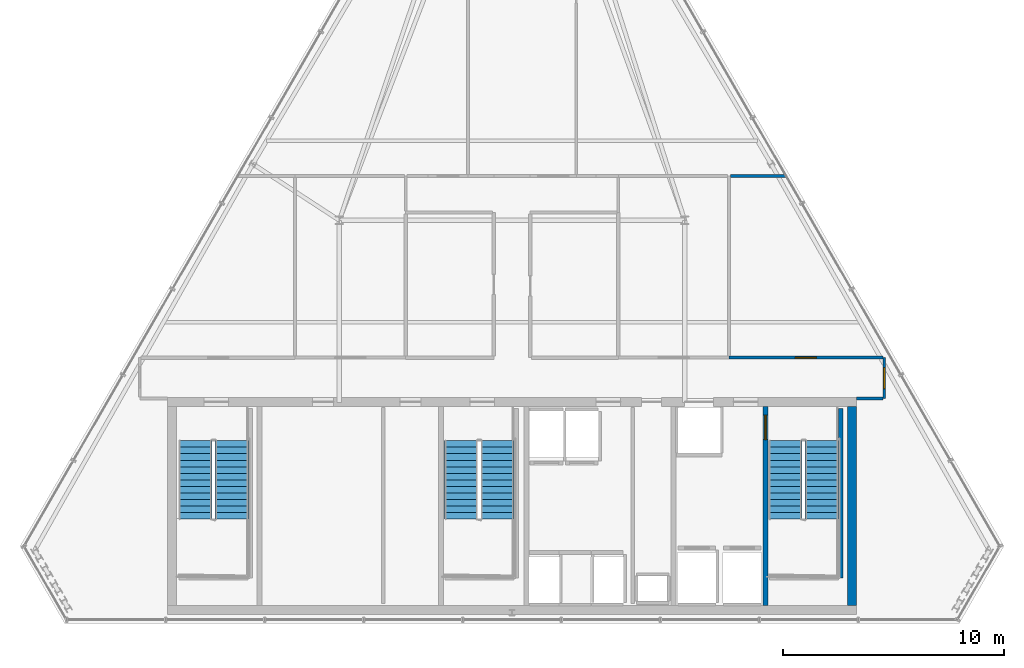
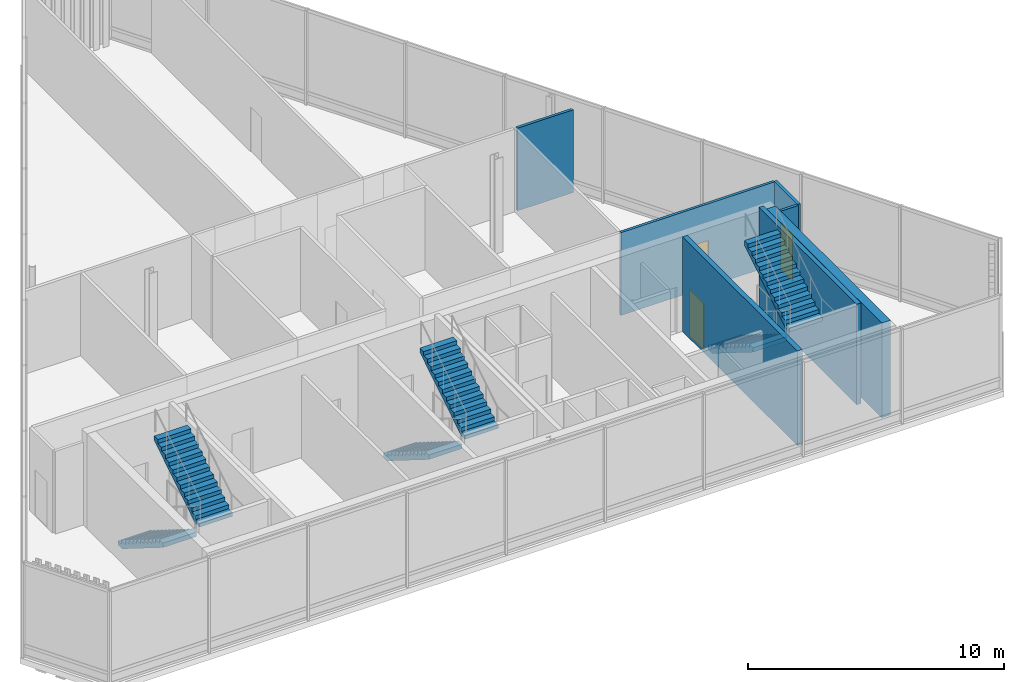
# One storey, part 22 of 25: 7 walls, 6 stair flights, 3 doors, 3 openings, 3 elements without a shape of their own.
"""IFC4 building model written with IfcOpenShell, lengths in metres."""

from ifc_helpers import new_model, si_unit, direction, frame, frame_2d, origin, place, context, subcontext, project, spatial, polyline, rectangle, outline, extrude, material, layer, layer_set, type_object, element, fill, aggregate, save


model = new_model("IFC4")

# Units and contexts
model_context = context("Model", 3, precision=1e-05, world=origin(), true_north=direction((0.0, 1.0)))
body_context = subcontext(model_context, "Body", "Model", "MODEL_VIEW")
ifc_project = project(units=[si_unit("LENGTHUNIT", "METRE"), si_unit("AREAUNIT", "SQUARE_METRE"), si_unit("VOLUMEUNIT", "CUBIC_METRE"), si_unit("PLANEANGLEUNIT", "RADIAN"), si_unit("MASSUNIT", "GRAM", prefix="KILO")], contexts=[model_context])

# Site, building, storey
site_placement = place(None, origin())
site = spatial("IfcSite", under=ifc_project, at=site_placement, CompositionType="ELEMENT")
building_placement = place(site_placement, origin())
building = spatial("IfcBuilding", under=site, at=building_placement, Name="Ndaravel Arena Tower", CompositionType="ELEMENT")
storey_placement = place(building_placement, frame((0.0, 0.0, 298.5)))
storey = spatial("IfcBuildingStorey", under=building, at=storey_placement, Name="L73", CompositionType="ELEMENT", Elevation=298.5)

# Wall, opening, door
ifc_material_1 = material(Name="Concrete C50/60", Category="concrete")
ifc_layer_1 = layer(ifc_material_1, 0.219970703125)
ifc_layer_set_1 = layer_set([ifc_layer_1], Name="Concrete C50/60")
wall_type_1 = type_object("IfcWallType", Name="WALL-CORE-220", PredefinedType="SOLIDWALL", material=ifc_layer_set_1)
wall_1_placement = place(storey_placement, frame((53.449951171875, 5.800048828125, 0.0), z_axis=(0.0, 0.0, 1.0), x_axis=(0.0, 1.0, 0.0)))
wall_1 = element("IfcWall", 1, at=wall_1_placement, inside=storey, type_object=wall_type_1, Name="L73 Core Web Shear Wall 5", PredefinedType="SOLIDWALL", context=body_context, shape_type="SweptSolid", body=[
    extrude(rectangle(XDim=9.0, YDim=0.219970703125, at=frame_2d((4.5, 0.0))), origin(), (0.0, 0.0, 1.0), 4.52001953125),
])
opening_1_placement = place(wall_1_placement, frame((7.5, 0.0, 0.0)))
opening_1 = element("IfcOpeningElement", 2, at=opening_1_placement, cuts=wall_1, Name="Opening FD-01", PredefinedType="OPENING", context=body_context, shape_type="SweptSolid", body=[
    extrude(rectangle(XDim=1.10009765625, YDim=2.199951171875, at=frame_2d((0.550048828125, 1.10009765625))), frame((0.0, 0.10986328125, 0.0), z_axis=(0.0, -1.0, 0.0), x_axis=(1.0, 0.0, 0.0)), (0.0, 0.0, 1.0), 0.219970703125),
])
ifc_material_2 = material(Name="Steel S355", Category="steel")
door_type_1 = type_object("IfcDoorType", Name="DT-01-STAIR-1100", OperationType="SINGLE_SWING_LEFT", PredefinedType="DOOR", material=ifc_material_2)
door_1_placement = place(opening_1_placement, origin())
door_1 = element("IfcDoor", 3, at=door_1_placement, inside=storey, type_object=door_type_1, Name="L73 Firefighting Lobby to ST-3 Door", OperationType="SINGLE_SWING_LEFT", OverallHeight=2.199951171875, OverallWidth=1.10009765625, PredefinedType="DOOR", context=body_context, shape_type="SweptSolid", body=[
    extrude(rectangle(XDim=1.10009765625, YDim=2.199951171875, at=frame_2d((0.550048828125, 1.10009765625))), frame((0.0, 0.02490234375, 0.0), z_axis=(0.0, -1.0, 0.0), x_axis=(1.0, 0.0, 0.0)), (0.0, 0.0, 1.0), 0.050048828125),
])
fill(opening_1, door_1)

# Wall
ifc_material_3 = material(Name="Concrete C50/60", Category="concrete")
ifc_layer_2 = layer(ifc_material_3, 0.39990234375)
ifc_layer_set_2 = layer_set([ifc_layer_2], Name="Concrete C50/60")
wall_type_2 = type_object("IfcWallType", Name="WALL-CORE-400", PredefinedType="SOLIDWALL", material=ifc_layer_set_2)
wall_2_placement = place(storey_placement, frame((57.35009765625, 5.800048828125, 0.0), z_axis=(0.0, 0.0, 1.0), x_axis=(0.0, 1.0, 0.0)))
element("IfcWall", 4, at=wall_2_placement, inside=storey, type_object=wall_type_2, Name="L73 Core East Shear Wall", PredefinedType="SOLIDWALL", context=body_context, shape_type="SweptSolid", body=[
    extrude(rectangle(XDim=9.0, YDim=0.39990234375, at=frame_2d((4.5, 0.0))), origin(), (0.0, 0.0, 1.0), 4.52001953125),
])

# Wall, opening, door
ifc_material_4 = material(Name="Gypsum", Category="gypsum")
ifc_layer_3 = layer(ifc_material_4, 0.125)
ifc_layer_set_3 = layer_set([ifc_layer_3], Name="Gypsum")
wall_type_3 = type_object("IfcWallType", Name="WALL-PART-125", PredefinedType="PARTITIONING", material=ifc_layer_set_3)
wall_3_placement = place(storey_placement, frame((58.80908203125, 17.0, 0.0), z_axis=(0.0, 0.0, 1.0), x_axis=(0.0, -1.0, 0.0)))
wall_3 = element("IfcWall", 5, at=wall_3_placement, inside=storey, type_object=wall_type_3, Name="L73 Interior Partition 001", PredefinedType="PARTITIONING", context=body_context, shape_type="SweptSolid", body=[
    extrude(rectangle(XDim=1.85009765625, YDim=0.125, at=frame_2d((0.925048828125, 0.0))), origin(), (0.0, 0.0, 1.0), 3.950439453125),
])
opening_2_placement = place(wall_3_placement, frame((0.449951171875, 0.0, 0.0)))
opening_2 = element("IfcOpeningElement", 6, at=opening_2_placement, cuts=wall_3, Name="Opening ID-01", PredefinedType="OPENING", context=body_context, shape_type="SweptSolid", body=[
    extrude(rectangle(XDim=0.949951171875, YDim=2.199951171875, at=frame_2d((0.47509765625, 1.10009765625))), frame((0.0, 0.0625, 0.0), z_axis=(0.0, -1.0, 0.0), x_axis=(1.0, 0.0, 0.0)), (0.0, 0.0, 1.0), 0.125),
])
ifc_material_5 = material(Name="Timber", Category="wood")
door_type_2 = type_object("IfcDoorType", Name="DT-03-OFFICE-950", OperationType="SINGLE_SWING_LEFT", PredefinedType="DOOR", material=ifc_material_5)
door_2_placement = place(opening_2_placement, origin())
door_2 = element("IfcDoor", 7, at=door_2_placement, inside=storey, type_object=door_type_2, Name="L73 Visitor First Aid Clinic Door", OperationType="SINGLE_SWING_LEFT", OverallHeight=2.199951171875, OverallWidth=0.949951171875, PredefinedType="DOOR", context=body_context, shape_type="SweptSolid", body=[
    extrude(rectangle(XDim=0.949951171875, YDim=2.199951171875, at=frame_2d((0.47509765625, 1.10009765625))), frame((0.0, 0.02490234375, 0.0), z_axis=(0.0, -1.0, 0.0), x_axis=(1.0, 0.0, 0.0)), (0.0, 0.0, 1.0), 0.050048828125),
])
fill(opening_2, door_2)

# Wall
wall_4_placement = place(storey_placement, frame((58.743896484375, 15.14990234375, 0.0), z_axis=(0.0, 0.0, 1.0), x_axis=(-1.0, 0.0, 0.0)))
element("IfcWall", 8, at=wall_4_placement, inside=storey, type_object=wall_type_3, Name="L73 Interior Partition 002", PredefinedType="PARTITIONING", context=body_context, shape_type="SweptSolid", body=[
    extrude(rectangle(XDim=1.19384765625, YDim=0.125, at=frame_2d((0.596923828125, 0.0))), origin(), (0.0, 0.0, 1.0), 3.950439453125),
])

# Wall, opening, door
wall_5_placement = place(storey_placement, frame((51.800048828125, 17.0, 0.0), z_axis=(0.0, 0.0, 1.0), x_axis=(1.0, 0.0, 0.0)))
wall_5 = element("IfcWall", 9, at=wall_5_placement, inside=storey, type_object=wall_type_3, Name="L73 Interior Partition 023", PredefinedType="PARTITIONING", context=body_context, shape_type="SweptSolid", body=[
    extrude(rectangle(XDim=6.94384765625, YDim=0.125, at=frame_2d((3.471923828125, 0.0))), origin(), (0.0, 0.0, 1.0), 3.950439453125),
])
opening_3_placement = place(wall_5_placement, frame((2.9970703125, 0.0, 0.0)))
opening_3 = element("IfcOpeningElement", 10, at=opening_3_placement, cuts=wall_5, Name="Opening ID-01", PredefinedType="OPENING", context=body_context, shape_type="SweptSolid", body=[
    extrude(rectangle(XDim=0.949951171875, YDim=2.199951171875, at=frame_2d((0.47509765625, 1.10009765625))), frame((0.0, 0.0625, 0.0), z_axis=(0.0, -1.0, 0.0), x_axis=(1.0, 0.0, 0.0)), (0.0, 0.0, 1.0), 0.125),
])
door_3_placement = place(opening_3_placement, origin())
door_3 = element("IfcDoor", 11, at=door_3_placement, inside=storey, type_object=door_type_2, Name="L73 Observation Security Control Room Door", OperationType="SINGLE_SWING_LEFT", OverallHeight=2.199951171875, OverallWidth=0.949951171875, PredefinedType="DOOR", context=body_context, shape_type="SweptSolid", body=[
    extrude(rectangle(XDim=0.949951171875, YDim=2.199951171875, at=frame_2d((0.47509765625, 1.10009765625))), frame((0.0, 0.02490234375, 0.0), z_axis=(0.0, -1.0, 0.0), x_axis=(1.0, 0.0, 0.0)), (0.0, 0.0, 1.0), 0.050048828125),
])
fill(opening_3, door_3)

# Walls
wall_6_placement = place(storey_placement, frame((51.864990234375, 25.199951171875, 0.0), z_axis=(0.0, 0.0, 1.0), x_axis=(1.0, 0.0, 0.0)))
element("IfcWall", 12, at=wall_6_placement, inside=storey, type_object=wall_type_3, Name="L73 Interior Partition 029", PredefinedType="PARTITIONING", context=body_context, shape_type="SweptSolid", body=[
    extrude(rectangle(XDim=2.51953125, YDim=0.125, at=frame_2d((1.259765625, 0.0))), origin(), (0.0, 0.0, 1.0), 3.950439453125),
])
ifc_material_6 = material(Name="Concrete C40/50", Category="concrete")
ifc_layer_4 = layer(ifc_material_6, 0.199951171875)
ifc_layer_set_4 = layer_set([ifc_layer_4], Name="Concrete C40/50")
wall_type_4 = type_object("IfcWallType", Name="WALL-SHAFT-200", PredefinedType="SOLIDWALL", material=ifc_layer_set_4)
wall_7_placement = place(storey_placement, frame((56.840087890625, 14.699951171875, 0.0), z_axis=(0.0, 0.0, 1.0), x_axis=(0.0, -1.0, 0.0)))
element("IfcWall", 13, at=wall_7_placement, inside=storey, type_object=wall_type_4, Name="L73 ST-3 Structural Shaft Wall Right", PredefinedType="SOLIDWALL", context=body_context, shape_type="SweptSolid", body=[
    extrude(rectangle(XDim=7.64990234375, YDim=0.199951171875, at=frame_2d((3.824951171875, 0.0))), origin(), (0.0, 0.0, 1.0), 4.800048828125),
])

# Stair, stair flights
ifc_material_7 = material(Name="Concrete C40/50", Category="concrete")
stair_type = type_object("IfcStairType", Name="STAIR-CORE-HT", PredefinedType="HALF_TURN_STAIR", material=ifc_material_7)
stair_1_placement = place(storey_placement, origin())
stair_1 = element("IfcStair", 14, at=stair_1_placement, inside=storey, type_object=stair_type, Name="L73 ST-1", PredefinedType="HALF_TURN_STAIR")
ifc_material_8 = material(Name="Concrete C40/50", Category="concrete")
stair_flight_type = type_object("IfcStairFlightType", Name="SFLIGHT-CORE-1680", PredefinedType="STRAIGHT", material=ifc_material_8)
stair_flight_1_placement = place(storey_placement, frame((27.699951171875, 13.25, 0.0), z_axis=(0.0, 0.0, 1.0), x_axis=(0.0, -1.0, 0.0)))
stair_flight_1 = element("IfcStairFlight", 15, at=stair_flight_1_placement, type_object=stair_flight_type, Name="ST-1 flight 1", NumberOfRisers=13, NumberOfTreads=12, PredefinedType="STRAIGHT", RiserHeight=0.184615385, TreadLength=0.295, context=body_context, shape_type="SweptSolid", body=[
    extrude(outline(polyline([(0.0, 0.0), (0.0, 0.1845703125), (0.294921875, 0.1845703125), (0.294921875, 0.369140625), (0.590087890625, 0.369140625), (0.590087890625, 0.553955078125), (0.885009765625, 0.553955078125), (0.885009765625, 0.738525390625), (1.179931640625, 0.738525390625), (1.179931640625, 0.923095703125), (1.47509765625, 0.923095703125), (1.47509765625, 1.107666015625), (1.77001953125, 1.107666015625), (1.77001953125, 1.292236328125), (2.06494140625, 1.292236328125), (2.06494140625, 1.476806640625), (2.360107421875, 1.476806640625), (2.360107421875, 1.66162109375), (2.655029296875, 1.66162109375), (2.655029296875, 1.84619140625), (2.949951171875, 1.84619140625), (2.949951171875, 2.03076171875), (3.2451171875, 2.03076171875), (3.2451171875, 2.21533203125), (3.5400390625, 2.21533203125), (3.5400390625, 2.39990234375), (3.5400390625, 2.003173828125), (0.339111328125, 0.0), (0.0, 0.0)])), frame((0.0, 0.75, 0.0), z_axis=(0.0, -1.0, 0.0), x_axis=(1.0, 0.0, 0.0)), (0.0, 0.0, 1.0), 1.5),
])
stair_flight_2_placement = place(storey_placement, frame((29.340087890625, 9.7099609375, 2.39990234375), z_axis=(0.0, 0.0, 1.0), x_axis=(0.0, 1.0, 0.0)))
stair_flight_2 = element("IfcStairFlight", 16, at=stair_flight_2_placement, type_object=stair_flight_type, Name="ST-1 flight 2", NumberOfRisers=13, NumberOfTreads=12, PredefinedType="STRAIGHT", RiserHeight=0.184615385, TreadLength=0.295, context=body_context, shape_type="SweptSolid", body=[
    extrude(outline(polyline([(0.0, 0.0), (0.0, 0.1845703125), (0.294921875, 0.1845703125), (0.294921875, 0.369140625), (0.590087890625, 0.369140625), (0.590087890625, 0.553955078125), (0.885009765625, 0.553955078125), (0.885009765625, 0.738525390625), (1.179931640625, 0.738525390625), (1.179931640625, 0.923095703125), (1.47509765625, 0.923095703125), (1.47509765625, 1.107666015625), (1.77001953125, 1.107666015625), (1.77001953125, 1.292236328125), (2.06494140625, 1.292236328125), (2.06494140625, 1.476806640625), (2.360107421875, 1.476806640625), (2.360107421875, 1.66162109375), (2.655029296875, 1.66162109375), (2.655029296875, 1.84619140625), (2.949951171875, 1.84619140625), (2.949951171875, 2.03076171875), (3.2451171875, 2.03076171875), (3.2451171875, 2.21533203125), (3.5400390625, 2.21533203125), (3.5400390625, 2.39990234375), (3.5400390625, 2.003173828125), (0.339111328125, 0.0), (0.0, 0.0)])), frame((0.0, 0.75, 0.0), z_axis=(0.0, -1.0, 0.0), x_axis=(1.0, 0.0, 0.0)), (0.0, 0.0, 1.0), 1.5),
])
aggregate(stair_1, [stair_flight_1, stair_flight_2])

stair_2_placement = place(storey_placement, origin())
stair_2 = element("IfcStair", 17, at=stair_2_placement, inside=storey, type_object=stair_type, Name="L73 ST-2", PredefinedType="HALF_TURN_STAIR")
stair_flight_3_placement = place(storey_placement, frame((39.699951171875, 13.25, 0.0), z_axis=(0.0, 0.0, 1.0), x_axis=(0.0, -1.0, 0.0)))
stair_flight_3 = element("IfcStairFlight", 18, at=stair_flight_3_placement, type_object=stair_flight_type, Name="ST-2 flight 1", NumberOfRisers=13, NumberOfTreads=12, PredefinedType="STRAIGHT", RiserHeight=0.184615385, TreadLength=0.295, context=body_context, shape_type="SweptSolid", body=[
    extrude(outline(polyline([(0.0, 0.0), (0.0, 0.1845703125), (0.294921875, 0.1845703125), (0.294921875, 0.369140625), (0.590087890625, 0.369140625), (0.590087890625, 0.553955078125), (0.885009765625, 0.553955078125), (0.885009765625, 0.738525390625), (1.179931640625, 0.738525390625), (1.179931640625, 0.923095703125), (1.47509765625, 0.923095703125), (1.47509765625, 1.107666015625), (1.77001953125, 1.107666015625), (1.77001953125, 1.292236328125), (2.06494140625, 1.292236328125), (2.06494140625, 1.476806640625), (2.360107421875, 1.476806640625), (2.360107421875, 1.66162109375), (2.655029296875, 1.66162109375), (2.655029296875, 1.84619140625), (2.949951171875, 1.84619140625), (2.949951171875, 2.03076171875), (3.2451171875, 2.03076171875), (3.2451171875, 2.21533203125), (3.5400390625, 2.21533203125), (3.5400390625, 2.39990234375), (3.5400390625, 2.003173828125), (0.339111328125, 0.0), (0.0, 0.0)])), frame((0.0, 0.75, 0.0), z_axis=(0.0, -1.0, 0.0), x_axis=(1.0, 0.0, 0.0)), (0.0, 0.0, 1.0), 1.5),
])
stair_flight_4_placement = place(storey_placement, frame((41.340087890625, 9.7099609375, 2.39990234375), z_axis=(0.0, 0.0, 1.0), x_axis=(0.0, 1.0, 0.0)))
stair_flight_4 = element("IfcStairFlight", 19, at=stair_flight_4_placement, type_object=stair_flight_type, Name="ST-2 flight 2", NumberOfRisers=13, NumberOfTreads=12, PredefinedType="STRAIGHT", RiserHeight=0.184615385, TreadLength=0.295, context=body_context, shape_type="SweptSolid", body=[
    extrude(outline(polyline([(0.0, 0.0), (0.0, 0.1845703125), (0.294921875, 0.1845703125), (0.294921875, 0.369140625), (0.590087890625, 0.369140625), (0.590087890625, 0.553955078125), (0.885009765625, 0.553955078125), (0.885009765625, 0.738525390625), (1.179931640625, 0.738525390625), (1.179931640625, 0.923095703125), (1.47509765625, 0.923095703125), (1.47509765625, 1.107666015625), (1.77001953125, 1.107666015625), (1.77001953125, 1.292236328125), (2.06494140625, 1.292236328125), (2.06494140625, 1.476806640625), (2.360107421875, 1.476806640625), (2.360107421875, 1.66162109375), (2.655029296875, 1.66162109375), (2.655029296875, 1.84619140625), (2.949951171875, 1.84619140625), (2.949951171875, 2.03076171875), (3.2451171875, 2.03076171875), (3.2451171875, 2.21533203125), (3.5400390625, 2.21533203125), (3.5400390625, 2.39990234375), (3.5400390625, 2.003173828125), (0.339111328125, 0.0), (0.0, 0.0)])), frame((0.0, 0.75, 0.0), z_axis=(0.0, -1.0, 0.0), x_axis=(1.0, 0.0, 0.0)), (0.0, 0.0, 1.0), 1.5),
])
aggregate(stair_2, [stair_flight_3, stair_flight_4])

stair_3_placement = place(storey_placement, origin())
stair_3 = element("IfcStair", 20, at=stair_3_placement, inside=storey, type_object=stair_type, Name="L73 ST-3", PredefinedType="HALF_TURN_STAIR")
stair_flight_5_placement = place(storey_placement, frame((54.35009765625, 13.25, 0.0), z_axis=(0.0, 0.0, 1.0), x_axis=(0.0, -1.0, 0.0)))
stair_flight_5 = element("IfcStairFlight", 21, at=stair_flight_5_placement, type_object=stair_flight_type, Name="ST-3 flight 1", NumberOfRisers=13, NumberOfTreads=12, PredefinedType="STRAIGHT", RiserHeight=0.184615385, TreadLength=0.295, context=body_context, shape_type="SweptSolid", body=[
    extrude(outline(polyline([(0.0, 0.0), (0.0, 0.1845703125), (0.294921875, 0.1845703125), (0.294921875, 0.369140625), (0.590087890625, 0.369140625), (0.590087890625, 0.553955078125), (0.885009765625, 0.553955078125), (0.885009765625, 0.738525390625), (1.179931640625, 0.738525390625), (1.179931640625, 0.923095703125), (1.47509765625, 0.923095703125), (1.47509765625, 1.107666015625), (1.77001953125, 1.107666015625), (1.77001953125, 1.292236328125), (2.06494140625, 1.292236328125), (2.06494140625, 1.476806640625), (2.360107421875, 1.476806640625), (2.360107421875, 1.66162109375), (2.655029296875, 1.66162109375), (2.655029296875, 1.84619140625), (2.949951171875, 1.84619140625), (2.949951171875, 2.03076171875), (3.2451171875, 2.03076171875), (3.2451171875, 2.21533203125), (3.5400390625, 2.21533203125), (3.5400390625, 2.39990234375), (3.5400390625, 2.003173828125), (0.339111328125, 0.0), (0.0, 0.0)])), frame((0.0, 0.75, 0.0), z_axis=(0.0, -1.0, 0.0), x_axis=(1.0, 0.0, 0.0)), (0.0, 0.0, 1.0), 1.5),
])
stair_flight_6_placement = place(storey_placement, frame((55.989990234375, 9.7099609375, 2.39990234375), z_axis=(0.0, 0.0, 1.0), x_axis=(0.0, 1.0, 0.0)))
stair_flight_6 = element("IfcStairFlight", 22, at=stair_flight_6_placement, type_object=stair_flight_type, Name="ST-3 flight 2", NumberOfRisers=13, NumberOfTreads=12, PredefinedType="STRAIGHT", RiserHeight=0.184615385, TreadLength=0.295, context=body_context, shape_type="SweptSolid", body=[
    extrude(outline(polyline([(0.0, 0.0), (0.0, 0.1845703125), (0.294921875, 0.1845703125), (0.294921875, 0.369140625), (0.590087890625, 0.369140625), (0.590087890625, 0.553955078125), (0.885009765625, 0.553955078125), (0.885009765625, 0.738525390625), (1.179931640625, 0.738525390625), (1.179931640625, 0.923095703125), (1.47509765625, 0.923095703125), (1.47509765625, 1.107666015625), (1.77001953125, 1.107666015625), (1.77001953125, 1.292236328125), (2.06494140625, 1.292236328125), (2.06494140625, 1.476806640625), (2.360107421875, 1.476806640625), (2.360107421875, 1.66162109375), (2.655029296875, 1.66162109375), (2.655029296875, 1.84619140625), (2.949951171875, 1.84619140625), (2.949951171875, 2.03076171875), (3.2451171875, 2.03076171875), (3.2451171875, 2.21533203125), (3.5400390625, 2.21533203125), (3.5400390625, 2.39990234375), (3.5400390625, 2.003173828125), (0.339111328125, 0.0), (0.0, 0.0)])), frame((0.0, 0.75, 0.0), z_axis=(0.0, -1.0, 0.0), x_axis=(1.0, 0.0, 0.0)), (0.0, 0.0, 1.0), 1.5),
])
aggregate(stair_3, [stair_flight_5, stair_flight_6])

save(model, "model.ifc")
